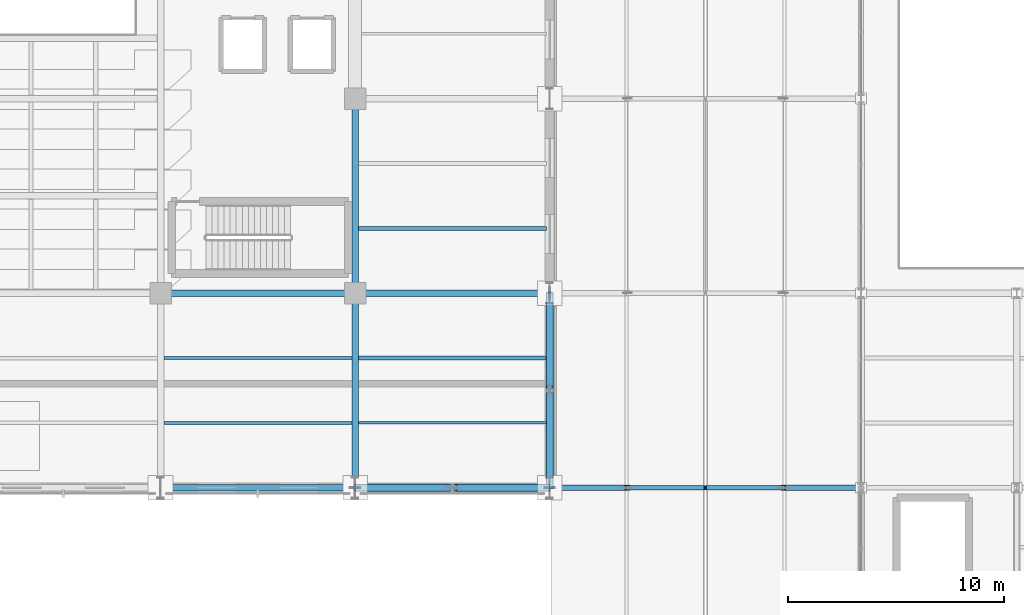
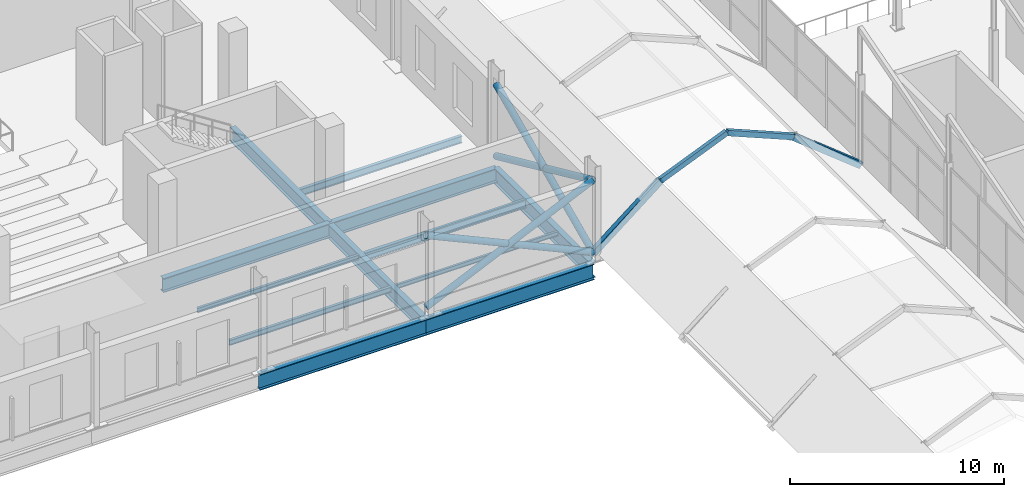
# One storey, part 29 of 141: 12 beams, 10 members.
"""IFC4 building model written with IfcOpenShell, lengths in metres."""

from ifc_helpers import new_model, si_unit, direction, frame, origin, origin_2d, place, context, subcontext, project, spatial, hollow_rectangle, hollow_circle, i_section, extrude, material, material_profile, profile_set, type_object, element, save


model = new_model("IFC4")

# Units and contexts
model_context = context("Model", 3, precision=1e-05, world=origin(), true_north=direction((0.0, 1.0)))
body_context = subcontext(model_context, "Body", "Model", "MODEL_VIEW")
ifc_project = project(units=[si_unit("LENGTHUNIT", "METRE"), si_unit("AREAUNIT", "SQUARE_METRE"), si_unit("VOLUMEUNIT", "CUBIC_METRE"), si_unit("PLANEANGLEUNIT", "RADIAN"), si_unit("MASSUNIT", "GRAM", prefix="KILO")], contexts=[model_context])

# Site, building, storey
site_placement = place(None, origin())
site = spatial("IfcSite", under=ifc_project, at=site_placement, CompositionType="ELEMENT")
building_placement = place(site_placement, origin())
building = spatial("IfcBuilding", under=site, at=building_placement, Name="Sundgate Opera House", CompositionType="ELEMENT")
storey_placement = place(building_placement, frame((0.0, 0.0, 11.39990234375)))
storey = spatial("IfcBuildingStorey", under=building, at=storey_placement, Name="L02", CompositionType="ELEMENT", Elevation=11.39990234375)

# Beams
ifc_material_1 = material(Name="Steel S355J2", Category="steel")
ifc_material_profile_1 = material_profile(ifc_material_1, i_section(OverallWidth=0.1201171875, OverallDepth=0.239990234375, WebThickness=0.006103515625, FlangeThickness=0.009765625, at=origin_2d()), Name="IPE 240")
ifc_profile_set_1 = profile_set([ifc_material_profile_1], Name="Steel S355J2")
beam_type_1 = type_object("IfcBeamType", Name="BM-JS-IPE240", PredefinedType="JOIST", material=ifc_profile_set_1)
beam_1_placement = place(storey_placement, frame((72.14990234375, 36.0, -0.43994140625), z_axis=(1.0, 0.0, 0.0), x_axis=(0.0, 1.0, 0.0)))
element("IfcBeam", 1, at=beam_1_placement, inside=storey, type_object=beam_type_1, Name="L02 Secondary Floor Joist B2212", PredefinedType="JOIST", context=body_context, shape_type="SweptSolid", body=[
    extrude(i_section(OverallWidth=0.1201171875, OverallDepth=0.239990234375, WebThickness=0.006103515625, FlangeThickness=0.009765625, at=origin_2d()), origin(), (0.0, 0.0, 1.0), 8.7001953125),
])
ifc_material_2 = material(Name="Steel S355J2", Category="steel")
ifc_material_profile_2 = material_profile(ifc_material_2, i_section(OverallWidth=0.135009765625, OverallDepth=0.27001953125, WebThickness=0.006591796875, FlangeThickness=0.01025390625, at=origin_2d()), Name="IPE 270")
ifc_profile_set_2 = profile_set([ifc_material_profile_2], Name="Steel S355J2")
beam_type_2 = type_object("IfcBeamType", Name="BM-JS-IPE270", PredefinedType="JOIST", material=ifc_profile_set_2)
beam_2_placement = place(storey_placement, frame((63.14990234375, 39.0, -0.454833984375), z_axis=(1.0, 0.0, 0.0), x_axis=(0.0, 1.0, 0.0)))
element("IfcBeam", 2, at=beam_2_placement, inside=storey, type_object=beam_type_2, Name="L02 Secondary Floor Joist B2211", PredefinedType="JOIST", context=body_context, shape_type="SweptSolid", body=[
    extrude(i_section(OverallWidth=0.135009765625, OverallDepth=0.27001953125, WebThickness=0.006591796875, FlangeThickness=0.01025390625, at=origin_2d()), origin(), (0.0, 0.0, 1.0), 8.7001953125),
])
ifc_material_3 = material(Name="Steel S355J2", Category="steel")
ifc_material_profile_3 = material_profile(ifc_material_3, i_section(OverallWidth=0.14990234375, OverallDepth=0.300048828125, WebThickness=0.007080078125, FlangeThickness=0.0107421875, at=origin_2d()), Name="IPE 300")
ifc_profile_set_3 = profile_set([ifc_material_profile_3], Name="Steel S355J2")
beam_type_3 = type_object("IfcBeamType", Name="BM-JS-IPE300", PredefinedType="JOIST", material=ifc_profile_set_3)
beam_3_placement = place(storey_placement, frame((63.14990234375, 36.0, -0.469970703125), z_axis=(1.0, 0.0, 0.0), x_axis=(0.0, 1.0, 0.0)))
element("IfcBeam", 3, at=beam_3_placement, inside=storey, type_object=beam_type_3, Name="L02 Secondary Floor Joist B2210", PredefinedType="JOIST", context=body_context, shape_type="SweptSolid", body=[
    extrude(i_section(OverallWidth=0.14990234375, OverallDepth=0.300048828125, WebThickness=0.007080078125, FlangeThickness=0.0107421875, at=origin_2d()), origin(), (0.0, 0.0, 1.0), 8.7001953125),
])
ifc_material_4 = material(Name="Steel S355J2", Category="steel")
ifc_material_profile_4 = material_profile(ifc_material_4, i_section(OverallWidth=0.179931640625, OverallDepth=0.39990234375, WebThickness=0.008544921875, FlangeThickness=0.013427734375, at=origin_2d()), Name="IPE 400")
ifc_profile_set_4 = profile_set([ifc_material_profile_4], Name="Steel S355J2")
beam_type_4 = type_object("IfcBeamType", Name="BM-JS-IPE400", PredefinedType="JOIST", material=ifc_profile_set_4)
beam_4_placement = place(storey_placement, frame((72.14990234375, 45.0, -0.52001953125), z_axis=(1.0, 0.0, 0.0), x_axis=(0.0, 1.0, 0.0)))
element("IfcBeam", 4, at=beam_4_placement, inside=storey, type_object=beam_type_4, Name="L02 Secondary Floor Joist B2235", PredefinedType="JOIST", context=body_context, shape_type="SweptSolid", body=[
    extrude(i_section(OverallWidth=0.179931640625, OverallDepth=0.39990234375, WebThickness=0.008544921875, FlangeThickness=0.013427734375, at=origin_2d()), origin(), (0.0, 0.0, 1.0), 8.7001953125),
])
ifc_material_5 = material(Name="Steel S355J2", Category="steel")
ifc_material_profile_5 = material_profile(ifc_material_5, i_section(OverallWidth=0.18994140625, OverallDepth=0.449951171875, WebThickness=0.009521484375, FlangeThickness=0.0146484375, at=origin_2d()), Name="IPE 450")
ifc_profile_set_5 = profile_set([ifc_material_profile_5], Name="Steel S355J2")
beam_type_5 = type_object("IfcBeamType", Name="BM-JS-IPE450", PredefinedType="JOIST", material=ifc_profile_set_5)
beam_5_placement = place(storey_placement, frame((72.14990234375, 39.0, -0.544921875), z_axis=(1.0, 0.0, 0.0), x_axis=(0.0, 1.0, 0.0)))
element("IfcBeam", 5, at=beam_5_placement, inside=storey, type_object=beam_type_5, Name="L02 Secondary Floor Joist B2213", PredefinedType="JOIST", context=body_context, shape_type="SweptSolid", body=[
    extrude(i_section(OverallWidth=0.18994140625, OverallDepth=0.449951171875, WebThickness=0.009521484375, FlangeThickness=0.0146484375, at=origin_2d()), origin(), (0.0, 0.0, 1.0), 8.7001953125),
])
ifc_material_6 = material(Name="Steel S355J2", Category="steel")
ifc_material_profile_6 = material_profile(ifc_material_6, i_section(OverallWidth=0.300048828125, OverallDepth=0.800048828125, WebThickness=0.017578125, FlangeThickness=0.032958984375, at=origin_2d()), Name="HEB 800")
ifc_profile_set_6 = profile_set([ifc_material_profile_6], Name="Steel S355J2")
beam_type_6 = type_object("IfcBeamType", Name="BM-OUT-HEB800", PredefinedType="BEAM", material=ifc_profile_set_6)
for number, where, z_axis, x_axis, name in (
    (6, (72.0, 51.0, -0.75), (0.0, -1.0, 0.0), (1.0, 0.0, 0.0), "L02 Cube Outrigger Back-Span Girder B0038"),
    (7, (72.0, 42.0, -0.75), (0.0, -1.0, 0.0), (1.0, 0.0, 0.0), "L02 Cube Outrigger Girder B0039"),
    (8, (63.0, 42.0, -0.75), (1.0, 0.0, 0.0), (0.0, 1.0, 0.0), "L02 Cube Outrigger Back-Span Girder B0043"),
    (9, (72.0, 42.0, -0.75), (1.0, 0.0, 0.0), (0.0, 1.0, 0.0), "L02 Cube Outrigger Girder B0045"),
):
    element("IfcBeam", number, at=place(storey_placement, frame(where, z_axis=z_axis, x_axis=x_axis)), inside=storey, type_object=beam_type_6, Name=name, PredefinedType="BEAM", context=body_context, shape_type="SweptSolid", body=[
        extrude(i_section(OverallWidth=0.300048828125, OverallDepth=0.800048828125, WebThickness=0.017578125, FlangeThickness=0.032958984375, at=origin_2d()), origin(), (0.0, 0.0, 1.0), 9.0),
    ])
ifc_material_7 = material(Name="Steel S355ML", Category="steel")
ifc_material_profile_7 = material_profile(ifc_material_7, i_section(OverallWidth=0.300048828125, OverallDepth=0.89990234375, WebThickness=0.0185546875, FlangeThickness=0.034912109375, at=origin_2d()), Name="HEB 900")
ifc_profile_set_7 = profile_set([ifc_material_profile_7], Name="Steel S355ML")
beam_type_7 = type_object("IfcBeamType", Name="BM-TR-HEB900", PredefinedType="BEAM", material=ifc_profile_set_7)
for number, where, z_axis, x_axis, name in (
    (10, (63.0, 33.0, -0.7998046875), (1.0, 0.0, 0.0), (0.0, 1.0, 0.0), "L02 Cube Perimeter Transfer Girder B0005"),
    (11, (72.0, 33.0, -0.7998046875), (1.0, 0.0, 0.0), (0.0, 1.0, 0.0), "L02 Cube Perimeter Transfer Girder B0006"),
    (12, (81.0, 33.0, -0.7998046875), (0.0, 1.0, 0.0), (-1.0, 0.0, 0.0), "L02 Cube Perimeter Transfer Girder B0019"),
):
    element("IfcBeam", number, at=place(storey_placement, frame(where, z_axis=z_axis, x_axis=x_axis)), inside=storey, type_object=beam_type_7, Name=name, PredefinedType="BEAM", context=body_context, shape_type="SweptSolid", body=[
        extrude(i_section(OverallWidth=0.300048828125, OverallDepth=0.89990234375, WebThickness=0.0185546875, FlangeThickness=0.034912109375, at=origin_2d()), origin(), (0.0, 0.0, 1.0), 9.0),
    ])

# Members
ifc_material_8 = material(Name="Steel S355J2", Category="steel")
ifc_material_profile_8 = material_profile(ifc_material_8, hollow_rectangle(XDim=0.199951171875, YDim=0.300048828125, WallThickness=0.012451171875, at=origin_2d()), Name="RHS 300x200x12.5")
ifc_profile_set_8 = profile_set([ifc_material_profile_8], Name="Steel S355J2")
member_type_1 = type_object("IfcMemberType", Name="MB-ARCH-RHS300", PredefinedType="USERDEFINED", material=ifc_profile_set_8)
member_1_placement = place(storey_placement, frame((84.60009765625, 33.0, 3.050048828125), z_axis=(0.923071366561, 0.0, 0.384628719983), x_axis=(0.0, 1.0, 0.0)))
element("IfcMember", 13, at=member_1_placement, inside=storey, type_object=member_type_1, Name="Passage Parabolic Arch Rib M0308", ObjectType="ARCH RIB", PredefinedType="USERDEFINED", context=body_context, shape_type="SweptSolid", body=[
    extrude(hollow_rectangle(XDim=0.199951171875, YDim=0.300048828125, WallThickness=0.012451171875, at=origin_2d()), origin(), (0.0, 0.0, 1.0), 3.89990234375),
])
member_2_placement = place(storey_placement, frame((88.199951171875, 33.0, 4.550048828125), z_axis=(0.9230806271, 0.0, -0.384606494839), x_axis=(0.0, 1.0, 0.0)))
element("IfcMember", 14, at=member_2_placement, inside=storey, type_object=member_type_1, Name="Passage Parabolic Arch Rib M0309", ObjectType="ARCH RIB", PredefinedType="USERDEFINED", context=body_context, shape_type="SweptSolid", body=[
    extrude(hollow_rectangle(XDim=0.199951171875, YDim=0.300048828125, WallThickness=0.012451171875, at=origin_2d()), origin(), (0.0, 0.0, 1.0), 3.900146484375),
])
ifc_material_9 = material(Name="Steel S355ML", Category="steel")
ifc_material_profile_9 = material_profile(ifc_material_9, hollow_rectangle(XDim=0.25, YDim=0.35009765625, WallThickness=0.012451171875, at=origin_2d()), Name="RHS 350x250x12.5")
ifc_profile_set_9 = profile_set([ifc_material_profile_9], Name="Steel S355ML")
member_type_2 = type_object("IfcMemberType", Name="MB-ARCH-RHS350", PredefinedType="USERDEFINED", material=ifc_profile_set_9)
member_3_placement = place(storey_placement, frame((81.0, 33.0, 0.18505859375), z_axis=(0.782465902377, 0.0, 0.622693433093), x_axis=(0.0, 1.0, 0.0)))
element("IfcMember", 15, at=member_3_placement, inside=storey, type_object=member_type_2, Name="Passage Parabolic Arch Rib M0307", ObjectType="ARCH RIB", PredefinedType="USERDEFINED", context=body_context, shape_type="SweptSolid", body=[
    extrude(hollow_rectangle(XDim=0.25, YDim=0.35009765625, WallThickness=0.012451171875, at=origin_2d()), origin(), (0.0, 0.0, 1.0), 4.60107421875),
])
member_4_placement = place(storey_placement, frame((91.800048828125, 33.0, 3.050048828125), z_axis=(0.782445326099, 0.0, -0.622719288015), x_axis=(0.0, 1.0, 0.0)))
element("IfcMember", 16, at=member_4_placement, inside=storey, type_object=member_type_2, Name="Passage Parabolic Arch Rib M0310", ObjectType="ARCH RIB", PredefinedType="USERDEFINED", context=body_context, shape_type="SweptSolid", body=[
    extrude(hollow_rectangle(XDim=0.25, YDim=0.35009765625, WallThickness=0.012451171875, at=origin_2d()), origin(), (0.0, 0.0, 1.0), 4.600830078125),
])
ifc_material_10 = material(Name="Steel S355J2", Category="steel")
ifc_material_profile_10 = material_profile(ifc_material_10, hollow_circle(Radius=0.177734375, WallThickness=0.01611328125, at=origin_2d()), Name="CHS 355.6x16.0")
ifc_profile_set_10 = profile_set([ifc_material_profile_10], Name="Steel S355J2")
member_type_3 = type_object("IfcMemberType", Name="MB-BRC-CHS356", PredefinedType="BRACE", material=ifc_profile_set_10)
member_5_placement = place(storey_placement, frame((72.0, 33.0, 0.25), z_axis=(0.910016154981, 0.0, 0.414572789354), x_axis=(0.0, 1.0, 0.0)))
element("IfcMember", 17, at=member_5_placement, inside=storey, type_object=member_type_3, Name="L02 Belt-Truss Continuous Diagonal M0003", PredefinedType="BRACE", context=body_context, shape_type="SweptSolid", body=[
    extrude(hollow_circle(Radius=0.177734375, WallThickness=0.01611328125, at=origin_2d()), origin(), (0.0, 0.0, 1.0), 9.889892578125),
])
member_6_placement = place(storey_placement, frame((81.0, 33.0, 0.25), z_axis=(-0.910006192119, 0.0, 0.414594657836), x_axis=(0.0, -1.0, 0.0)))
element("IfcMember", 18, at=member_6_placement, inside=storey, type_object=member_type_3, Name="L02 Belt-Truss Lower Half Diagonal M0004", PredefinedType="BRACE", context=body_context, shape_type="SweptSolid", body=[
    extrude(hollow_circle(Radius=0.177734375, WallThickness=0.01611328125, at=origin_2d()), origin(), (0.0, 0.0, 1.0), 4.78515625),
])
member_7_placement = place(storey_placement, frame((76.3544921875, 33.0, 2.366455078125), z_axis=(-0.910025440845, 0.0, 0.414552405633), x_axis=(0.0, -1.0, 0.0)))
element("IfcMember", 19, at=member_7_placement, inside=storey, type_object=member_type_3, Name="L02 Belt-Truss Upper Half Diagonal MS002", PredefinedType="BRACE", context=body_context, shape_type="SweptSolid", body=[
    extrude(hollow_circle(Radius=0.177734375, WallThickness=0.01611328125, at=origin_2d()), origin(), (0.0, 0.0, 1.0), 4.784912109375),
])
member_8_placement = place(storey_placement, frame((81.0, 33.0, 0.25), z_axis=(0.0, 0.910016154981, 0.414572789354), x_axis=(-1.0, 0.0, 0.0)))
element("IfcMember", 20, at=member_8_placement, inside=storey, type_object=member_type_3, Name="L02 Belt-Truss Continuous Diagonal M0013", PredefinedType="BRACE", context=body_context, shape_type="SweptSolid", body=[
    extrude(hollow_circle(Radius=0.177734375, WallThickness=0.01611328125, at=origin_2d()), origin(), (0.0, 0.0, 1.0), 9.889892578125),
])
member_9_placement = place(storey_placement, frame((81.0, 42.0, 0.25), z_axis=(0.0, -0.910006192119, 0.414594657836), x_axis=(1.0, 0.0, 0.0)))
element("IfcMember", 21, at=member_9_placement, inside=storey, type_object=member_type_3, Name="L02 Belt-Truss Lower Half Diagonal M0014", PredefinedType="BRACE", context=body_context, shape_type="SweptSolid", body=[
    extrude(hollow_circle(Radius=0.177734375, WallThickness=0.01611328125, at=origin_2d()), origin(), (0.0, 0.0, 1.0), 4.78515625),
])
member_10_placement = place(storey_placement, frame((81.0, 37.3544921875, 2.366455078125), z_axis=(0.0, -0.910025440845, 0.414552405633), x_axis=(1.0, 0.0, 0.0)))
element("IfcMember", 22, at=member_10_placement, inside=storey, type_object=member_type_3, Name="L02 Belt-Truss Upper Half Diagonal MS007", PredefinedType="BRACE", context=body_context, shape_type="SweptSolid", body=[
    extrude(hollow_circle(Radius=0.177734375, WallThickness=0.01611328125, at=origin_2d()), origin(), (0.0, 0.0, 1.0), 4.784912109375),
])

save(model, "model.ifc")
